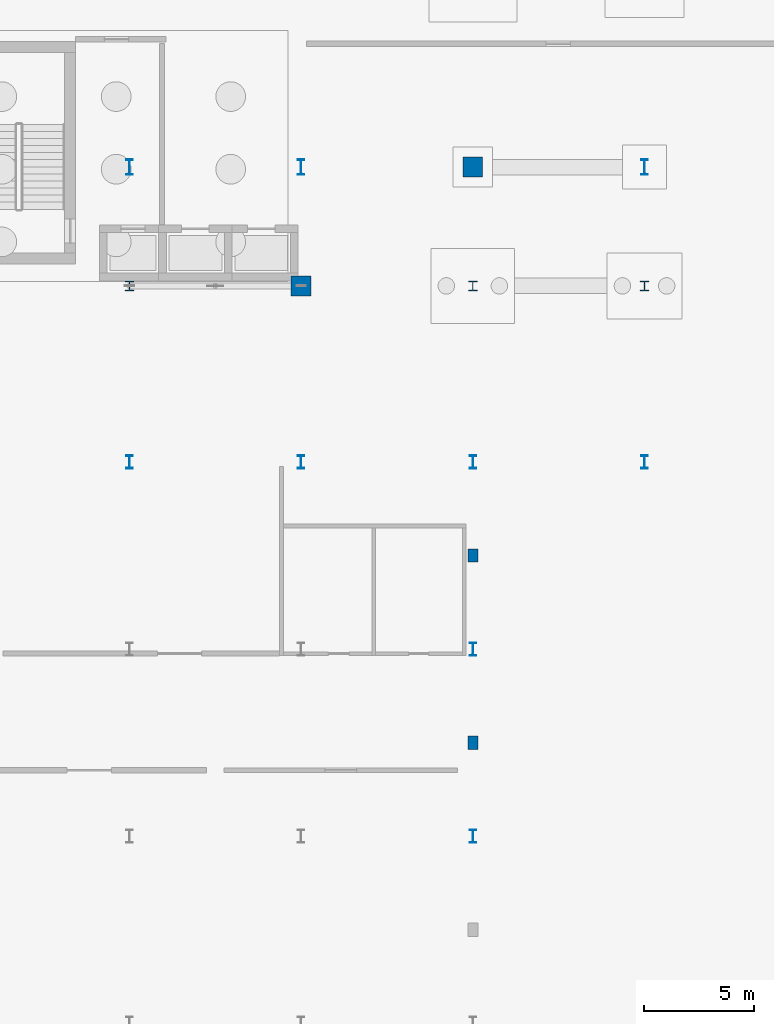
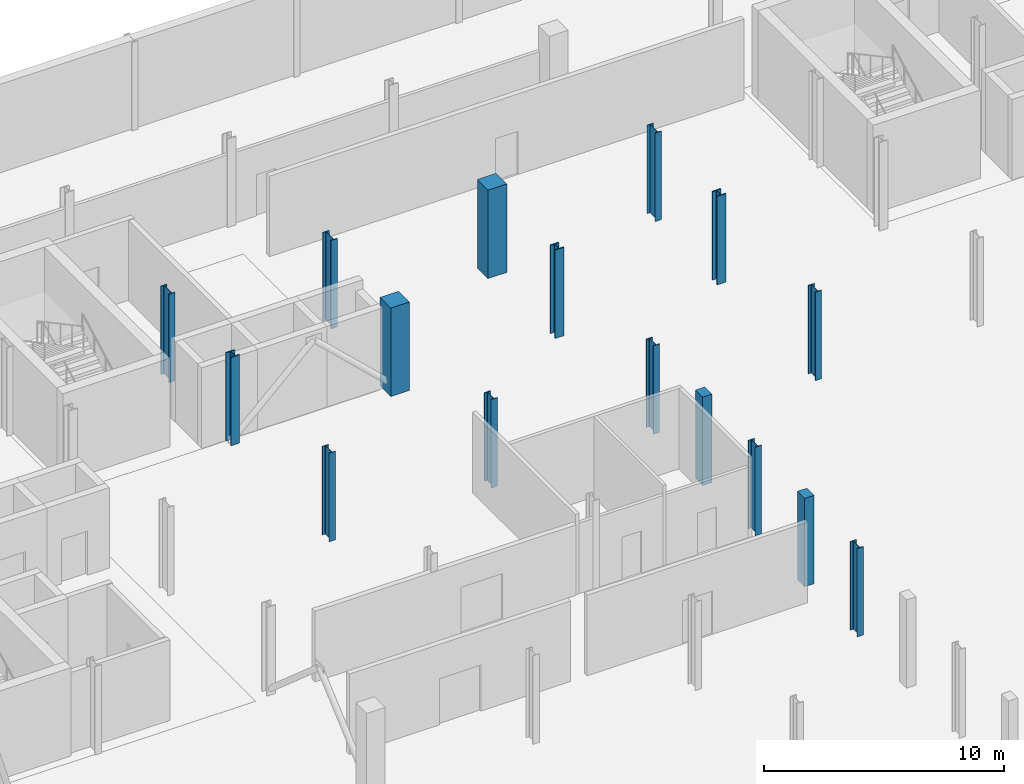
# One storey, part 12 of 45: 16 columns.
"""IFC4 building model written with IfcOpenShell, lengths in metres."""

from ifc_helpers import new_model, si_unit, direction, frame, origin, origin_2d, place, context, subcontext, project, spatial, rectangle, i_section, extrude, material, material_profile, profile_set, type_object, element, save


model = new_model("IFC4")

# Units and contexts
model_context = context("Model", 3, precision=1e-05, world=origin(), true_north=direction((0.0, 1.0)))
body_context = subcontext(model_context, "Body", "Model", "MODEL_VIEW")
ifc_project = project(units=[si_unit("LENGTHUNIT", "METRE"), si_unit("AREAUNIT", "SQUARE_METRE"), si_unit("VOLUMEUNIT", "CUBIC_METRE"), si_unit("PLANEANGLEUNIT", "RADIAN"), si_unit("MASSUNIT", "GRAM", prefix="KILO")], contexts=[model_context])

# Site, building, storey
site_placement = place(None, origin())
site = spatial("IfcSite", under=ifc_project, at=site_placement, CompositionType="ELEMENT")
building_placement = place(site_placement, origin())
building = spatial("IfcBuilding", under=site, at=building_placement, Name="Sefraquen Railside Congress Hotel", CompositionType="ELEMENT")
storey_placement = place(building_placement, frame((0.0, 0.0, -4.5)))
storey = spatial("IfcBuildingStorey", under=building, at=storey_placement, Name="B01", CompositionType="ELEMENT", Elevation=-4.5)

# Columns
ifc_material_1 = material(Name="Steel S355J2", Category="steel")
ifc_material_profile_1 = material_profile(ifc_material_1, i_section(OverallWidth=0.416015625, OverallDepth=0.446044921875, WebThickness=0.035888671875, FlangeThickness=0.048095703125, FilletRadius=0.014892578125, at=origin_2d()), Name="HD 400x509")
ifc_profile_set_1 = profile_set([ifc_material_profile_1], Name="Steel S355J2")
column_type_1 = type_object("IfcColumnType", Name="TC-HD-509", PredefinedType="COLUMN", material=ifc_profile_set_1)
for number, where, z_axis, x_axis, name in (
    (1, (33.0, 96.0, 0.0), (0.0, 0.0, 1.0), (1.0, 0.0, 0.0), "Structural column 5-M B01"),
    (2, (48.60009765625, 96.0, 0.0), (0.0, 0.0, 1.0), (1.0, 0.0, 0.0), "Structural column 7-M B01"),
    (3, (56.39990234375, 96.0, 0.0), (0.0, 0.0, 1.0), (1.0, 0.0, 0.0), "Structural column 8-M B01"),
):
    element("IfcColumn", number, at=place(storey_placement, frame(where, z_axis=z_axis, x_axis=x_axis)), inside=storey, type_object=column_type_1, Name=name, PredefinedType="COLUMN", context=body_context, shape_type="SweptSolid", body=[
        extrude(i_section(OverallWidth=0.416015625, OverallDepth=0.446044921875, WebThickness=0.035888671875, FlangeThickness=0.048095703125, FilletRadius=0.014892578125, at=origin_2d()), origin(), (0.0, 0.0, 1.0), 4.5),
    ])
ifc_material_2 = material(Name="Steel S355JR", Category="steel")
ifc_material_profile_2 = material_profile(ifc_material_2, i_section(OverallWidth=0.300048828125, OverallDepth=0.60009765625, WebThickness=0.015380859375, FlangeThickness=0.030029296875, FilletRadius=0.027099609375, at=origin_2d()), Name="HEB 600")
ifc_profile_set_2 = profile_set([ifc_material_profile_2], Name="Steel S355JR")
column_type_2 = type_object("IfcColumnType", Name="TC-HEB-600", PredefinedType="COLUMN", material=ifc_profile_set_2)
for number, where, z_axis, x_axis, name in (
    (4, (33.0, 88.0, 0.0), (0.0, 0.0, 1.0), (1.0, 0.0, 0.0), "Structural column 5-L B01"),
    (5, (40.800048828125, 88.0, 0.0), (0.0, 0.0, 1.0), (1.0, 0.0, 0.0), "Structural column 6-L B01"),
    (6, (48.60009765625, 71.0, 0.0), (0.0, 0.0, 1.0), (1.0, 0.0, 0.0), "Structural column 7-J B01"),
    (7, (48.60009765625, 79.5, 0.0), (0.0, 0.0, 1.0), (1.0, 0.0, 0.0), "Structural column 7-K B01"),
    (8, (48.60009765625, 88.0, 0.0), (0.0, 0.0, 1.0), (1.0, 0.0, 0.0), "Structural column 7-L B01"),
    (9, (56.39990234375, 88.0, 0.0), (0.0, 0.0, 1.0), (1.0, 0.0, 0.0), "Structural column 8-L B01"),
):
    element("IfcColumn", number, at=place(storey_placement, frame(where, z_axis=z_axis, x_axis=x_axis)), inside=storey, type_object=column_type_2, Name=name, PredefinedType="COLUMN", context=body_context, shape_type="SweptSolid", body=[
        extrude(i_section(OverallWidth=0.300048828125, OverallDepth=0.60009765625, WebThickness=0.015380859375, FlangeThickness=0.030029296875, FilletRadius=0.027099609375, at=origin_2d()), origin(), (0.0, 0.0, 1.0), 4.5),
    ])
ifc_material_profile_3 = material_profile(ifc_material_2, i_section(OverallWidth=0.300048828125, OverallDepth=0.699951171875, WebThickness=0.01708984375, FlangeThickness=0.031982421875, FilletRadius=0.027099609375, at=origin_2d()), Name="HEB 700")
ifc_profile_set_3 = profile_set([ifc_material_profile_3], Name="Steel S355JR")
column_type_3 = type_object("IfcColumnType", Name="TC-HEB-700", PredefinedType="COLUMN", material=ifc_profile_set_3)
for number, where, z_axis, x_axis, name in (
    (10, (33.0, 101.39990234375, 0.0), (0.0, 0.0, 1.0), (1.0, 0.0, 0.0), "Structural column 5-N B01"),
    (11, (40.800048828125, 101.39990234375, 0.0), (0.0, 0.0, 1.0), (1.0, 0.0, 0.0), "Structural column 6-N B01"),
    (12, (56.39990234375, 101.39990234375, 0.0), (0.0, 0.0, 1.0), (1.0, 0.0, 0.0), "Structural column 8-N B01"),
):
    element("IfcColumn", number, at=place(storey_placement, frame(where, z_axis=z_axis, x_axis=x_axis)), inside=storey, type_object=column_type_3, Name=name, PredefinedType="COLUMN", context=body_context, shape_type="SweptSolid", body=[
        extrude(i_section(OverallWidth=0.300048828125, OverallDepth=0.699951171875, WebThickness=0.01708984375, FlangeThickness=0.031982421875, FilletRadius=0.027099609375, at=origin_2d()), origin(), (0.0, 0.0, 1.0), 4.5),
    ])
ifc_material_3 = material(Name="Concrete C50/60", Category="concrete")
ifc_material_profile_4 = material_profile(ifc_material_3, rectangle(XDim=0.449951171875, YDim=0.60009765625, at=origin_2d()), Name="RC 600x450")
ifc_profile_set_4 = profile_set([ifc_material_profile_4], Name="Concrete C50/60")
column_type_4 = type_object("IfcColumnType", Name="TC-PIL-600", PredefinedType="PILASTER", material=ifc_profile_set_4)
for number, where, z_axis, x_axis, name in (
    (13, (48.60009765625, 75.25, 0.0), (0.0, 0.0, 1.0), (1.0, 0.0, 0.0), "Courtyard limestone pilaster CPIL-W3 B01"),
    (14, (48.60009765625, 83.75, 0.0), (0.0, 0.0, 1.0), (1.0, 0.0, 0.0), "Courtyard limestone pilaster CPIL-W4 B01"),
):
    element("IfcColumn", number, at=place(storey_placement, frame(where, z_axis=z_axis, x_axis=x_axis)), inside=storey, type_object=column_type_4, Name=name, PredefinedType="PILASTER", context=body_context, shape_type="SweptSolid", body=[
        extrude(rectangle(XDim=0.449951171875, YDim=0.60009765625, at=origin_2d()), origin(), (0.0, 0.0, 1.0), 4.5),
    ])
ifc_material_profile_5 = material_profile(ifc_material_3, rectangle(XDim=0.89990234375, YDim=0.89990234375, at=origin_2d()), Name="RC 900x900")
ifc_profile_set_5 = profile_set([ifc_material_profile_5], Name="Concrete C50/60")
column_type_5 = type_object("IfcColumnType", Name="TC-RC-900", PredefinedType="COLUMN", material=ifc_profile_set_5)
for number, where, z_axis, x_axis, name in (
    (15, (40.800048828125, 96.0, 0.0), (0.0, 0.0, 1.0), (1.0, 0.0, 0.0), "Structural column 6-M B01"),
    (16, (48.60009765625, 101.39990234375, 0.0), (0.0, 0.0, 1.0), (1.0, 0.0, 0.0), "Structural column 7-N B01"),
):
    element("IfcColumn", number, at=place(storey_placement, frame(where, z_axis=z_axis, x_axis=x_axis)), inside=storey, type_object=column_type_5, Name=name, PredefinedType="COLUMN", context=body_context, shape_type="SweptSolid", body=[
        extrude(rectangle(XDim=0.89990234375, YDim=0.89990234375, at=origin_2d()), origin(), (0.0, 0.0, 1.0), 4.5),
    ])

save(model, "model.ifc")
